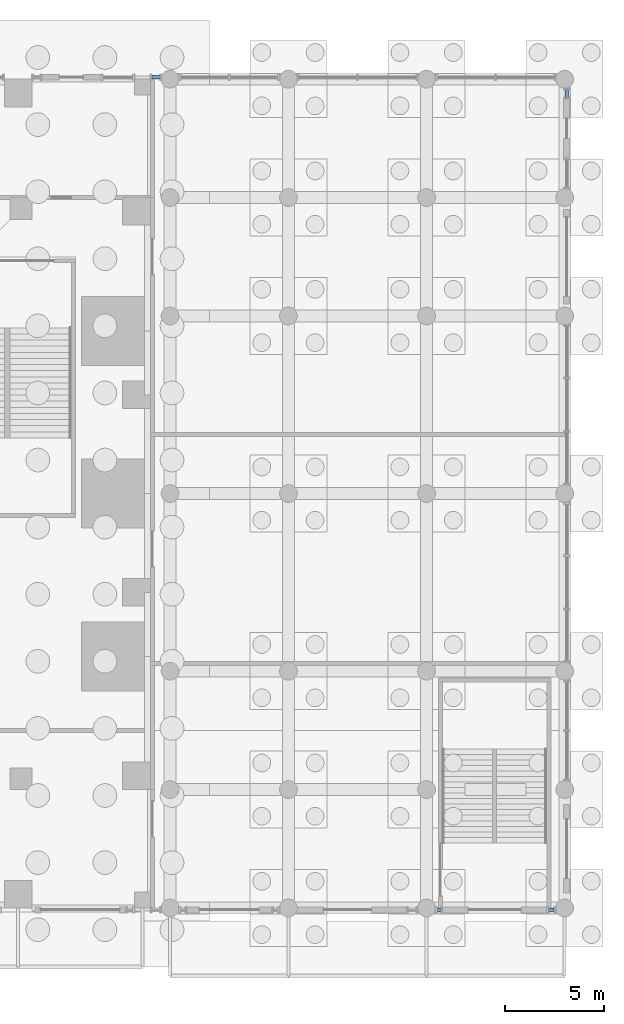
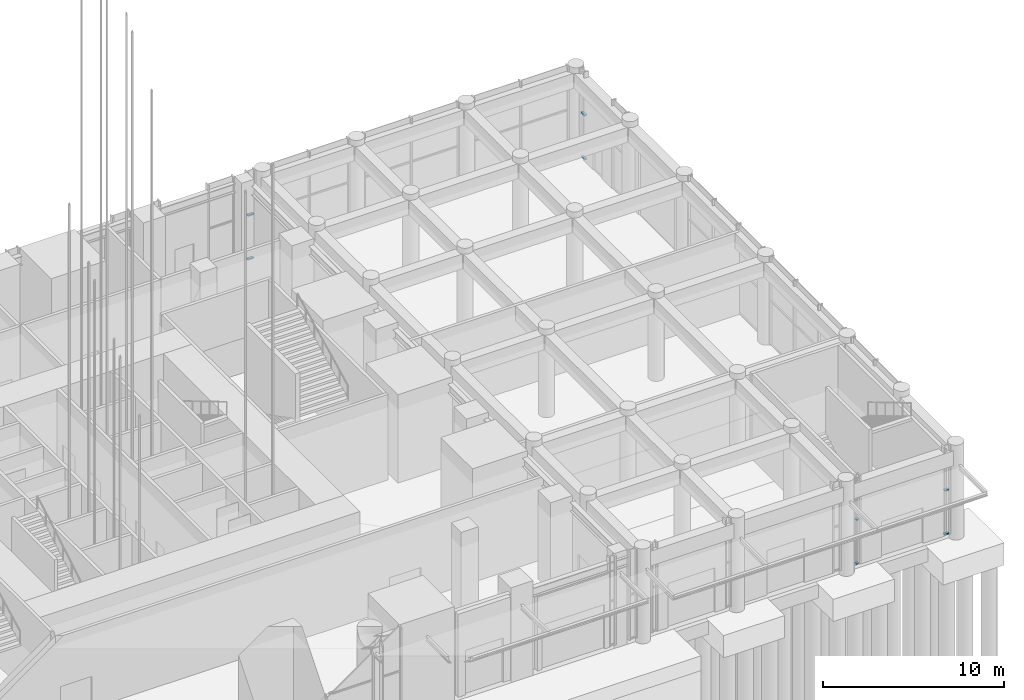
# One storey, part 13 of 46: 8 members, 4 elements without a shape of their own.
"""IFC4 building model written with IfcOpenShell, lengths in metres."""

import ifcopenshell
import ifcopenshell.guid

model = None  # the IFC model being written
_history = None  # IfcOwnerHistory: only IFC2X3 demands one
_inside = {}  # id of a spatial element -> (the spatial element, [elements in it])
_under = {}  # id of a project, library or spatial element -> (it, [spatial elements below it])
_declared = {}  # id of a project -> (the project, [libraries it declares])
_typed = {}  # id of a type object -> (the type object, [elements of that type])
_made_of = {}  # id of a material, layer set ... -> (it, [elements and type objects made of it])


def new_model(schema):
    """Start an empty IFC model of exactly this schema.

    Asked for "IFC4X3", IfcOpenShell would pick the latest addendum, in which some entities
    have other attributes; the version numbers below select the first issue.
    IFC2X3 requires an IfcOwnerHistory on every rooted entity: one is made here for all.
    """
    global model, _history
    if schema == "IFC4X3":
        model = ifcopenshell.file(schema_version=(4, 3, 0, 0))
    else:
        model = ifcopenshell.file(schema=schema)
    _inside.clear()
    _under.clear()
    _declared.clear()
    _typed.clear()
    _made_of.clear()
    _history = None
    if model.schema == "IFC2X3":
        org = make("IfcOrganization", Name="unknown")
        user = make(
            "IfcPersonAndOrganization",
            ThePerson=make("IfcPerson", FamilyName="unknown"),
            TheOrganization=org,
        )
        app = make(
            "IfcApplication",
            ApplicationDeveloper=org,
            Version="unknown",
            ApplicationFullName="unknown",
            ApplicationIdentifier="unknown",
        )
        _history = make(
            "IfcOwnerHistory",
            OwningUser=user,
            OwningApplication=app,
            ChangeAction="ADDED",
            CreationDate=0,
        )
    return model


def make(cls, **values):
    """One entity of the class cls with the attributes given. An attribute that is None is left unset."""
    return model.create_entity(
        cls, **{name: value for name, value in values.items() if value is not None}
    )


def rooted(cls, **values):
    """An entity with a GlobalId (a new one), such as an element, a storey or a relation."""
    return make(cls, GlobalId=ifcopenshell.guid.new(), OwnerHistory=_history, **values)


def si_unit(unit_type, name, prefix=None):
    """IfcSIUnit, for example si_unit("LENGTHUNIT", "METRE", prefix="MILLI")."""
    return make("IfcSIUnit", UnitType=unit_type, Prefix=prefix, Name=name)


def assignment(units):
    """IfcUnitAssignment: the units of a project."""
    return None if units is None else make("IfcUnitAssignment", Units=units)


def point(xyz):
    """IfcCartesianPoint."""
    return None if xyz is None else make("IfcCartesianPoint", Coordinates=xyz)


def direction(xyz):
    """IfcDirection."""
    return None if xyz is None else make("IfcDirection", DirectionRatios=xyz)


def frame(location, z_axis=None, x_axis=None):
    """IfcAxis2Placement3D, a coordinate frame: its origin and axes. An axis left out is left unset."""
    return make(
        "IfcAxis2Placement3D",
        Location=point(location),
        Axis=direction(z_axis),
        RefDirection=direction(x_axis),
    )


def frame_2d(location, x_axis=None):
    """IfcAxis2Placement2D, a coordinate frame in the plane: its origin and x axis."""
    return make(
        "IfcAxis2Placement2D", Location=point(location), RefDirection=direction(x_axis)
    )


def origin():
    """The frame at (0, 0, 0) with its axes left unset."""
    return frame((0.0, 0.0, 0.0))


def origin_2d():
    """The frame at (0, 0) in the plane with its x axis left unset."""
    return frame_2d((0.0, 0.0))


def place(relative_to, where):
    """IfcLocalPlacement: puts the frame where relative to a parent placement (None: the world)."""
    return make(
        "IfcLocalPlacement", PlacementRelTo=relative_to, RelativePlacement=where
    )


def context(
    kind, dimensions, precision=None, world=None, true_north=None, identifier=None
):
    """IfcGeometricRepresentationContext, for example the 3D "Model" context."""
    return make(
        "IfcGeometricRepresentationContext",
        ContextIdentifier=identifier,
        ContextType=kind,
        CoordinateSpaceDimension=dimensions,
        Precision=precision,
        WorldCoordinateSystem=world,
        TrueNorth=true_north,
    )


def subcontext(parent, identifier, kind, view, scale=None):
    """IfcGeometricRepresentationSubContext, for example "Body" below "Model"."""
    return make(
        "IfcGeometricRepresentationSubContext",
        ContextIdentifier=identifier,
        ContextType=kind,
        ParentContext=parent,
        TargetScale=scale,
        TargetView=view,
    )


def project(units=None, contexts=None):
    """IfcProject with its units and contexts."""
    return rooted(
        "IfcProject",
        Name="project",
        RepresentationContexts=contexts,
        UnitsInContext=assignment(units),
    )


def spatial(cls, under=None, at=None, **own):
    """A site, building, storey or space (cls), placed at a placement, below another one or the project."""
    s = rooted(cls, ObjectPlacement=at, **own)
    if under is not None:
        _under.setdefault(under.id(), (under, []))[1].append(s)
    return s


def profile(cls, at=None, kind="AREA", **sizes):
    """A parametric profile (cls). Its sizes go by their IFC names, for example OverallWidth=200.0."""
    return make(cls, ProfileType=kind, Position=at, **sizes)


def rectangle(**sizes):
    """IfcRectangleProfileDef."""
    return profile("IfcRectangleProfileDef", **sizes)


def extrude(swept, where, along, depth):
    """IfcExtrudedAreaSolid: the profile swept, set in the frame where, extruded along a direction by depth."""
    return make(
        "IfcExtrudedAreaSolid",
        SweptArea=swept,
        Position=where,
        ExtrudedDirection=direction(along),
        Depth=depth,
    )


def shape(context_of_items, identifier, shape_type, items):
    """IfcShapeRepresentation: the items that make up one representation, for example the "Body"."""
    return make(
        "IfcShapeRepresentation",
        ContextOfItems=context_of_items,
        RepresentationIdentifier=identifier,
        RepresentationType=shape_type,
        Items=items,
    )


def material(Name=None, Category=None):
    """IfcMaterial."""
    return make("IfcMaterial", Name=Name, Category=Category)


def material_profile(
    of_material, cross_section, Name=None, Category=None, Priority=None
):
    """IfcMaterialProfile: a cross section and its material."""
    return make(
        "IfcMaterialProfile",
        Name=Name,
        Material=of_material,
        Profile=cross_section,
        Priority=Priority,
        Category=Category,
    )


def profile_set(profiles, Name=None, composite=None):
    """IfcMaterialProfileSet."""
    return make(
        "IfcMaterialProfileSet",
        Name=Name,
        MaterialProfiles=profiles,
        CompositeProfile=composite,
    )


def made_of(thing, what):
    """Note that an element or type object is made of a material, layer set ...; save() writes the relation."""
    if what is not None:
        _made_of.setdefault(what.id(), (what, []))[1].append(thing)
    return thing


def type_object(cls, material=None, **own):
    """A type object (cls), such as IfcWallType, which elements share."""
    return made_of(rooted(cls, **own), material)


def element(
    cls,
    number,
    at=None,
    inside=None,
    cuts=None,
    type_object=None,
    material=None,
    context=None,
    identifier="Body",
    shape_type=None,
    held_by="IfcProductDefinitionShape",
    body=None,
    shapes=None,
    **own,
):
    """One element of the class cls, such as IfcWall. Its Tag is "e" and its number.

    at: its placement. inside: the storey or other place that contains it. cuts: it is an
    opening in that element (IfcRelVoidsElement). A single representation is given by context,
    identifier, shape_type and body (its items); several are given by shapes. held_by: the class
    of the entity that holds the representations. save() writes the other relations.
    """
    e = rooted(cls, Tag="e%d" % number, ObjectPlacement=at, **own)
    if body is not None:
        shapes = [shape(context, identifier, shape_type, body)]
    if shapes is not None:
        e.Representation = make(held_by, Representations=shapes)
    if inside is not None:
        _inside.setdefault(inside.id(), (inside, []))[1].append(e)
    if cuts is not None:
        rooted(
            "IfcRelVoidsElement", RelatingBuildingElement=cuts, RelatedOpeningElement=e
        )
    if type_object is not None:
        _typed.setdefault(type_object.id(), (type_object, []))[1].append(e)
    return made_of(e, material)


def aggregate(whole, parts):
    """IfcRelAggregates: a whole, such as a stair, and the parts it consists of."""
    return rooted("IfcRelAggregates", RelatingObject=whole, RelatedObjects=parts)


def save(model, path):
    """Write the relations noted so far, then the file.

    IfcRelAggregates (storeys below a building ...), IfcRelContainedInSpatialStructure (elements
    in a storey), IfcRelDefinesByType, IfcRelAssociatesMaterial and IfcRelDeclares: one each for
    every whole, place, type object, material and project.
    """
    for whole, parts in _under.values():
        aggregate(whole, parts)
    for where, things in _inside.values():
        rooted(
            "IfcRelContainedInSpatialStructure",
            RelatedElements=things,
            RelatingStructure=where,
        )
    for kind, things in _typed.values():
        rooted("IfcRelDefinesByType", RelatedObjects=things, RelatingType=kind)
    for what, things in _made_of.values():
        rooted("IfcRelAssociatesMaterial", RelatedObjects=things, RelatingMaterial=what)
    for by, libraries in _declared.values():
        rooted("IfcRelDeclares", RelatingContext=by, RelatedDefinitions=libraries)
    model.write(path)


model = new_model("IFC4")

# Units and contexts
model_context = context("Model", 3, precision=1e-05, world=origin(), true_north=direction((0.0, 1.0)))
body_context = subcontext(model_context, "Body", "Model", "MODEL_VIEW")
ifc_project = project(units=[si_unit("LENGTHUNIT", "METRE"), si_unit("AREAUNIT", "SQUARE_METRE"), si_unit("VOLUMEUNIT", "CUBIC_METRE"), si_unit("PLANEANGLEUNIT", "RADIAN"), si_unit("MASSUNIT", "GRAM", prefix="KILO")], contexts=[model_context])

# Site, building, storey
site_placement = place(None, origin())
site = spatial("IfcSite", under=ifc_project, at=site_placement, CompositionType="ELEMENT")
building_placement = place(site_placement, origin())
building = spatial("IfcBuilding", under=site, at=building_placement, Name="Svetlomir Tower", CompositionType="ELEMENT")
storey_placement = place(building_placement, origin())
storey = spatial("IfcBuildingStorey", under=building, at=storey_placement, Name="L00", CompositionType="ELEMENT", Elevation=0.0)

# Curtain wall, members
ifc_material_1 = material(Name="Bronze anodised aluminium curtain wall", Category="aluminium")
curtain_wall_type = type_object("IfcCurtainWallType", Name="CURTAIN WALL CW5 PODIUM", PredefinedType="NOTDEFINED", material=ifc_material_1)
curtain_wall_1_placement = place(storey_placement, origin())
curtain_wall_1 = element("IfcCurtainWall", 1, at=curtain_wall_1_placement, inside=storey, type_object=curtain_wall_type, Name="Curtain wall CW5 L00", PredefinedType="NOTDEFINED")
ifc_material_2 = material(Name="Bronze anodised aluminium", Category="aluminium")
ifc_material_profile = material_profile(ifc_material_2, rectangle(XDim=0.179931640625, YDim=0.080078125, at=origin_2d()), Name="AL 180x80")
ifc_profile_set = profile_set([ifc_material_profile], Name="Bronze anodised aluminium 6063-T6")
member_type = type_object("IfcMemberType", Name="CW5 TRANSOM 80x180", PredefinedType="USERDEFINED", material=ifc_profile_set)
member_1_placement = place(storey_placement, frame((56.530029296875, -0.10009765625, 0.0400390625), z_axis=(1.0, 0.0, 0.0), x_axis=(0.0, 1.0, 0.0)))
member_1 = element("IfcMember", 2, at=member_1_placement, type_object=member_type, Name="CW5 transom 1.1", ObjectType="TRANSOM", PredefinedType="USERDEFINED", context=body_context, shape_type="SweptSolid", body=[
    extrude(rectangle(XDim=0.179931640625, YDim=0.080078125, at=origin_2d()), origin(), (0.0, 0.0, 1.0), 0.18994140625),
])
member_2_placement = place(storey_placement, frame((56.530029296875, -0.10009765625, 3.0), z_axis=(1.0, 0.0, 0.0), x_axis=(0.0, 1.0, 0.0)))
member_2 = element("IfcMember", 3, at=member_2_placement, type_object=member_type, Name="CW5 transom 1.2", ObjectType="TRANSOM", PredefinedType="USERDEFINED", context=body_context, shape_type="SweptSolid", body=[
    extrude(rectangle(XDim=0.179931640625, YDim=0.080078125, at=origin_2d()), origin(), (0.0, 0.0, 1.0), 0.18994140625),
])
aggregate(curtain_wall_1, [member_1, member_2])

curtain_wall_2_placement = place(storey_placement, origin())
curtain_wall_2 = element("IfcCurtainWall", 4, at=curtain_wall_2_placement, inside=storey, type_object=curtain_wall_type, Name="Curtain wall CW5 L00", PredefinedType="NOTDEFINED")
member_3_placement = place(storey_placement, frame((62.179931640625, -0.10009765625, 0.0400390625), z_axis=(1.0, 0.0, 0.0), x_axis=(0.0, 1.0, 0.0)))
member_3 = element("IfcMember", 5, at=member_3_placement, type_object=member_type, Name="CW5 transom 1.1", ObjectType="TRANSOM", PredefinedType="USERDEFINED", context=body_context, shape_type="SweptSolid", body=[
    extrude(rectangle(XDim=0.179931640625, YDim=0.080078125, at=origin_2d()), origin(), (0.0, 0.0, 1.0), 0.2900390625),
])
member_4_placement = place(storey_placement, frame((62.179931640625, -0.10009765625, 3.0), z_axis=(1.0, 0.0, 0.0), x_axis=(0.0, 1.0, 0.0)))
member_4 = element("IfcMember", 6, at=member_4_placement, type_object=member_type, Name="CW5 transom 1.2", ObjectType="TRANSOM", PredefinedType="USERDEFINED", context=body_context, shape_type="SweptSolid", body=[
    extrude(rectangle(XDim=0.179931640625, YDim=0.080078125, at=origin_2d()), origin(), (0.0, 0.0, 1.0), 0.2900390625),
])
aggregate(curtain_wall_2, [member_3, member_4])

curtain_wall_3_placement = place(storey_placement, origin())
curtain_wall_3 = element("IfcCurtainWall", 7, at=curtain_wall_3_placement, inside=storey, type_object=curtain_wall_type, Name="Curtain wall CW5 L00", PredefinedType="NOTDEFINED")
member_5_placement = place(storey_placement, frame((63.10009765625, 41.080078125, 0.0400390625), z_axis=(0.0, 1.0, 0.0), x_axis=(-1.0, 0.0, 0.0)))
member_5 = element("IfcMember", 8, at=member_5_placement, type_object=member_type, Name="CW5 transom 1.1", ObjectType="TRANSOM", PredefinedType="USERDEFINED", context=body_context, shape_type="SweptSolid", body=[
    extrude(rectangle(XDim=0.179931640625, YDim=0.080078125, at=origin_2d()), origin(), (0.0, 0.0, 1.0), 0.389892578125),
])
member_6_placement = place(storey_placement, frame((63.10009765625, 41.080078125, 3.0), z_axis=(0.0, 1.0, 0.0), x_axis=(-1.0, 0.0, 0.0)))
member_6 = element("IfcMember", 9, at=member_6_placement, type_object=member_type, Name="CW5 transom 1.2", ObjectType="TRANSOM", PredefinedType="USERDEFINED", context=body_context, shape_type="SweptSolid", body=[
    extrude(rectangle(XDim=0.179931640625, YDim=0.080078125, at=origin_2d()), origin(), (0.0, 0.0, 1.0), 0.389892578125),
])
aggregate(curtain_wall_3, [member_5, member_6])

curtain_wall_4_placement = place(storey_placement, origin())
curtain_wall_4 = element("IfcCurtainWall", 10, at=curtain_wall_4_placement, inside=storey, type_object=curtain_wall_type, Name="Curtain wall CW5 L00", PredefinedType="NOTDEFINED")
member_7_placement = place(storey_placement, frame((42.469970703125, 42.10009765625, 0.0400390625), z_axis=(-1.0, 0.0, 0.0), x_axis=(0.0, -1.0, 0.0)))
member_7 = element("IfcMember", 11, at=member_7_placement, type_object=member_type, Name="CW5 transom 1.1", ObjectType="TRANSOM", PredefinedType="USERDEFINED", context=body_context, shape_type="SweptSolid", body=[
    extrude(rectangle(XDim=0.179931640625, YDim=0.080078125, at=origin_2d()), origin(), (0.0, 0.0, 1.0), 0.389892578125),
])
member_8_placement = place(storey_placement, frame((42.469970703125, 42.10009765625, 3.0), z_axis=(-1.0, 0.0, 0.0), x_axis=(0.0, -1.0, 0.0)))
member_8 = element("IfcMember", 12, at=member_8_placement, type_object=member_type, Name="CW5 transom 1.2", ObjectType="TRANSOM", PredefinedType="USERDEFINED", context=body_context, shape_type="SweptSolid", body=[
    extrude(rectangle(XDim=0.179931640625, YDim=0.080078125, at=origin_2d()), origin(), (0.0, 0.0, 1.0), 0.389892578125),
])
aggregate(curtain_wall_4, [member_7, member_8])

save(model, "model.ifc")
